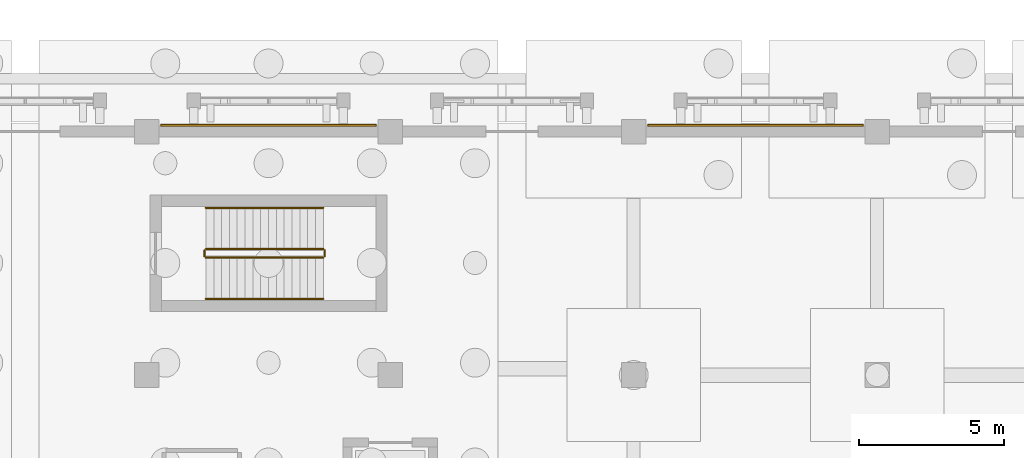
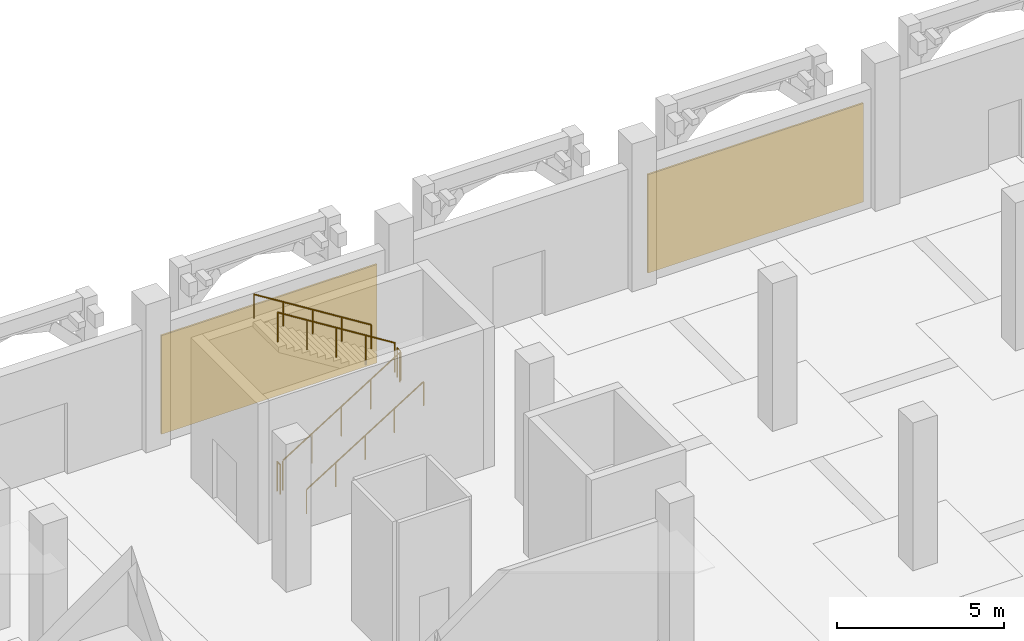
# One storey, part 96 of 98: 6 railings, 2 coverings.
"""IFC4 building model written with IfcOpenShell, lengths in metres."""

from ifc_helpers import new_model, si_unit, direction, frame, origin, origin_2d, place, context, subcontext, project, spatial, rectangle, circle, extrude, material, layer, layer_set, type_object, element, save


model = new_model("IFC4")

# Units and contexts
model_context = context("Model", 3, precision=1e-05, world=origin(), true_north=direction((0.0, 1.0)))
body_context = subcontext(model_context, "Body", "Model", "MODEL_VIEW")
ifc_project = project(units=[si_unit("LENGTHUNIT", "METRE"), si_unit("AREAUNIT", "SQUARE_METRE"), si_unit("VOLUMEUNIT", "CUBIC_METRE"), si_unit("PLANEANGLEUNIT", "RADIAN"), si_unit("MASSUNIT", "GRAM", prefix="KILO")], contexts=[model_context])

# Site, building, storey
site_placement = place(None, origin())
site = spatial("IfcSite", under=ifc_project, at=site_placement, CompositionType="ELEMENT")
building_placement = place(site_placement, origin())
building = spatial("IfcBuilding", under=site, at=building_placement, Name="Xazarin Passage Department Store", CompositionType="ELEMENT")
storey_placement = place(building_placement, origin())
storey = spatial("IfcBuildingStorey", under=building, at=storey_placement, Name="L00", CompositionType="ELEMENT", Elevation=0.0)

# Coverings
ifc_material_1 = material(Name="Absheron limestone cladding", Category="masonry")
ifc_layer = layer(ifc_material_1, 0.06005859375)
ifc_layer_set = layer_set([ifc_layer], Name="Absheron limestone cladding")
covering_type = type_object("IfcCoveringType", Name="ARC-COV-CLD060", PredefinedType="CLADDING", material=ifc_layer_set)
for number, where, z_axis, x_axis, name in (
    (1, (131.800048828125, 110.219970703125, 0.0), (0.0, 0.0, 1.0), (1.0, 0.0, 0.0), "L00 Absheron Limestone Plinth Cladding 258"),
    (2, (148.60009765625, 110.219970703125, 0.0), (0.0, 0.0, 1.0), (1.0, 0.0, 0.0), "L00 Absheron Limestone Plinth Cladding 260"),
):
    element("IfcCovering", number, at=place(storey_placement, frame(where, z_axis=z_axis, x_axis=x_axis)), inside=storey, type_object=covering_type, Name=name, PredefinedType="CLADDING", context=body_context, shape_type="SweptSolid", body=[
        extrude(rectangle(XDim=7.449951171875, YDim=0.06005859375, at=origin_2d()), origin(), (0.0, 0.0, 1.0), 3.60009765625),
    ])

# Railings
ifc_material_2 = material(Name="Steel S355", Category="steel")
railing_type_1 = type_object("IfcRailingType", Name="ARC-RL-GRD112", PredefinedType="GUARDRAIL", material=ifc_material_2)
railing_1_placement = place(storey_placement, frame((129.639892578125, 105.64990234375, 0.168701171875)))
element("IfcRailing", 3, at=railing_1_placement, inside=storey, type_object=railing_type_1, Name="L00 ST11 stair guard 1", PredefinedType="GUARDRAIL", context=body_context, shape_type="SweptSolid", body=[
    extrude(circle(Radius=0.02392578125, at=origin_2d()), frame((0.0, 0.0, 1.076171875), z_axis=(0.848001175806, 0.0, 0.529994345094), x_axis=(0.0, 1.0, 0.0)), (0.0, 0.0, 1.0), 4.77587890625),
    extrude(circle(Radius=0.02099609375, at=origin_2d()), origin(), (0.0, 0.0, 1.0), 1.0517578125),
    extrude(circle(Radius=0.02099609375, at=origin_2d()), frame((1.012451171875, 0.0, 0.6328125)), (0.0, 0.0, 1.0), 1.0517578125),
    extrude(circle(Radius=0.02099609375, at=origin_2d()), frame((2.02490234375, 0.0, 1.265625)), (0.0, 0.0, 1.0), 1.0517578125),
    extrude(circle(Radius=0.02099609375, at=origin_2d()), frame((3.03759765625, 0.0, 1.8984375)), (0.0, 0.0, 1.0), 1.0517578125),
    extrude(circle(Radius=0.02099609375, at=origin_2d()), frame((4.050048828125, 0.0, 2.53125)), (0.0, 0.0, 1.0), 1.0517578125),
])
railing_2_placement = place(storey_placement, frame((133.739990234375, 105.699951171875, 2.699951171875)))
element("IfcRailing", 4, at=railing_2_placement, inside=storey, type_object=railing_type_1, Name="L00 ST11 stair guard 2", PredefinedType="GUARDRAIL", context=body_context, shape_type="SweptSolid", body=[
    extrude(circle(Radius=0.02392578125, at=origin_2d()), frame((0.0, 0.0, 1.076171875), z_axis=(0.0, 1.0, 0.0), x_axis=(-1.0, 0.0, 0.0)), (0.0, 0.0, 1.0), 0.199951171875),
    extrude(circle(Radius=0.02099609375, at=origin_2d()), origin(), (0.0, 0.0, 1.0), 1.0517578125),
    extrude(circle(Radius=0.02099609375, at=origin_2d()), frame((0.0, 0.199951171875, 0.0)), (0.0, 0.0, 1.0), 1.0517578125),
])
railing_3_placement = place(storey_placement, frame((133.68994140625, 105.949951171875, 2.86865234375)))
element("IfcRailing", 5, at=railing_3_placement, inside=storey, type_object=railing_type_1, Name="L00 ST11 stair guard 3", PredefinedType="GUARDRAIL", context=body_context, shape_type="SweptSolid", body=[
    extrude(circle(Radius=0.02392578125, at=origin_2d()), frame((0.0, 0.0, 1.076171875), z_axis=(-0.848001175806, 0.0, 0.529994345094), x_axis=(0.0, -1.0, 0.0)), (0.0, 0.0, 1.0), 4.77587890625),
    extrude(circle(Radius=0.02099609375, at=origin_2d()), origin(), (0.0, 0.0, 1.0), 1.0517578125),
    extrude(circle(Radius=0.02099609375, at=origin_2d()), frame((-1.012451171875, 0.0, 0.6328125)), (0.0, 0.0, 1.0), 1.0517578125),
    extrude(circle(Radius=0.02099609375, at=origin_2d()), frame((-2.02490234375, 0.0, 1.265625)), (0.0, 0.0, 1.0), 1.0517578125),
    extrude(circle(Radius=0.02099609375, at=origin_2d()), frame((-3.03759765625, 0.0, 1.8984375)), (0.0, 0.0, 1.0), 1.0517578125),
    extrude(circle(Radius=0.02099609375, at=origin_2d()), frame((-4.050048828125, 0.0, 2.53125)), (0.0, 0.0, 1.0), 1.0517578125),
])
railing_4_placement = place(storey_placement, frame((129.590087890625, 105.699951171875, 0.0)))
element("IfcRailing", 6, at=railing_4_placement, inside=storey, type_object=railing_type_1, Name="L00 ST11 stair guard 4", PredefinedType="GUARDRAIL", context=body_context, shape_type="SweptSolid", body=[
    extrude(circle(Radius=0.02392578125, at=origin_2d()), frame((0.0, 0.0, 1.076171875), z_axis=(0.0, 1.0, 0.0), x_axis=(-1.0, 0.0, 0.0)), (0.0, 0.0, 1.0), 0.199951171875),
    extrude(circle(Radius=0.02099609375, at=origin_2d()), origin(), (0.0, 0.0, 1.0), 1.0517578125),
    extrude(circle(Radius=0.02099609375, at=origin_2d()), frame((0.0, 0.199951171875, 0.0)), (0.0, 0.0, 1.0), 1.0517578125),
])
railing_type_2 = type_object("IfcRailingType", Name="ARC-RL-HND090", PredefinedType="HANDRAIL", material=ifc_material_2)
railing_5_placement = place(storey_placement, frame((129.639892578125, 104.22998046875, 0.168701171875)))
element("IfcRailing", 7, at=railing_5_placement, inside=storey, type_object=railing_type_2, Name="L00 ST11 stair handrail 1", PredefinedType="HANDRAIL", context=body_context, shape_type="SweptSolid", body=[
    extrude(circle(Radius=0.02392578125, at=origin_2d()), frame((0.0, 0.0, 0.8759765625), z_axis=(0.848001175806, 0.0, 0.529994345094), x_axis=(0.0, 1.0, 0.0)), (0.0, 0.0, 1.0), 4.77587890625),
    extrude(circle(Radius=0.02099609375, at=origin_2d()), origin(), (0.0, 0.0, 1.0), 0.8515625),
    extrude(circle(Radius=0.02099609375, at=origin_2d()), frame((1.012451171875, 0.0, 0.6328125)), (0.0, 0.0, 1.0), 0.8515625),
    extrude(circle(Radius=0.02099609375, at=origin_2d()), frame((2.02490234375, 0.0, 1.265625)), (0.0, 0.0, 1.0), 0.8515625),
    extrude(circle(Radius=0.02099609375, at=origin_2d()), frame((3.03759765625, 0.0, 1.8984375)), (0.0, 0.0, 1.0), 0.8515625),
    extrude(circle(Radius=0.02099609375, at=origin_2d()), frame((4.050048828125, 0.0, 2.53125)), (0.0, 0.0, 1.0), 0.8515625),
])
railing_6_placement = place(storey_placement, frame((133.68994140625, 107.3701171875, 2.86865234375)))
element("IfcRailing", 8, at=railing_6_placement, inside=storey, type_object=railing_type_2, Name="L00 ST11 stair handrail 2", PredefinedType="HANDRAIL", context=body_context, shape_type="SweptSolid", body=[
    extrude(circle(Radius=0.02392578125, at=origin_2d()), frame((0.0, 0.0, 0.8759765625), z_axis=(-0.848001175806, 0.0, 0.529994345094), x_axis=(0.0, -1.0, 0.0)), (0.0, 0.0, 1.0), 4.77587890625),
    extrude(circle(Radius=0.02099609375, at=origin_2d()), origin(), (0.0, 0.0, 1.0), 0.8515625),
    extrude(circle(Radius=0.02099609375, at=origin_2d()), frame((-1.012451171875, 0.0, 0.6328125)), (0.0, 0.0, 1.0), 0.8515625),
    extrude(circle(Radius=0.02099609375, at=origin_2d()), frame((-2.02490234375, 0.0, 1.265625)), (0.0, 0.0, 1.0), 0.8515625),
    extrude(circle(Radius=0.02099609375, at=origin_2d()), frame((-3.03759765625, 0.0, 1.8984375)), (0.0, 0.0, 1.0), 0.8515625),
    extrude(circle(Radius=0.02099609375, at=origin_2d()), frame((-4.050048828125, 0.0, 2.53125)), (0.0, 0.0, 1.0), 0.8515625),
])

save(model, "model.ifc")
